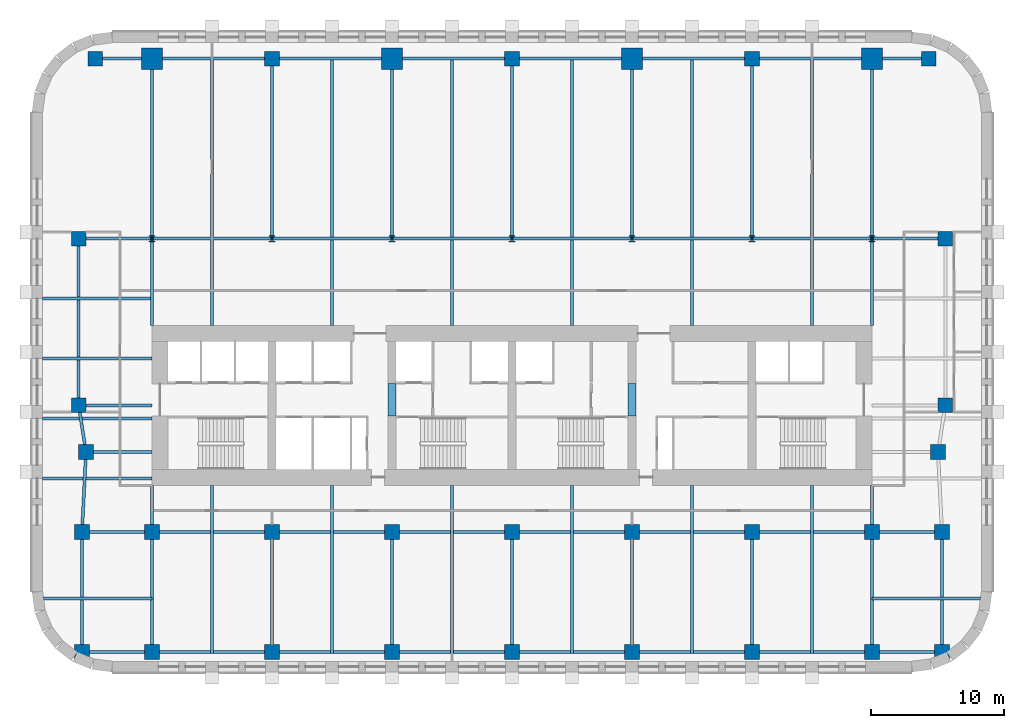
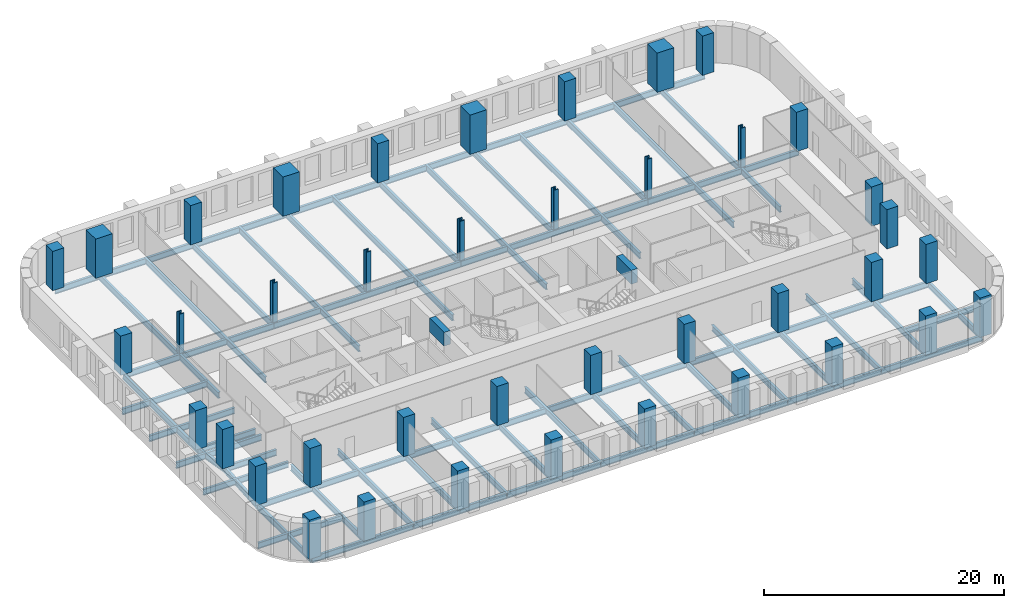
# One storey, part 1 of 11: 59 beams, 40 columns.
"""IFC4 building model written with IfcOpenShell, lengths in metres."""

from ifc_helpers import new_model, si_unit, direction, frame, origin, origin_2d, place, context, subcontext, project, spatial, rectangle, i_section, extrude, material, material_profile, profile_set, type_object, element, save


model = new_model("IFC4")

# Units and contexts
model_context = context("Model", 3, precision=1e-05, world=origin(), true_north=direction((0.0, 1.0)))
body_context = subcontext(model_context, "Body", "Model", "MODEL_VIEW")
ifc_project = project(units=[si_unit("LENGTHUNIT", "METRE"), si_unit("AREAUNIT", "SQUARE_METRE"), si_unit("VOLUMEUNIT", "CUBIC_METRE"), si_unit("PLANEANGLEUNIT", "RADIAN"), si_unit("MASSUNIT", "GRAM", prefix="KILO")], contexts=[model_context])

# Site, building, storey
site_placement = place(None, origin())
site = spatial("IfcSite", under=ifc_project, at=site_placement, CompositionType="ELEMENT")
building_placement = place(site_placement, origin())
building = spatial("IfcBuilding", under=site, at=building_placement, Name="Zellij Exchange Tower", CompositionType="ELEMENT")
storey_placement = place(building_placement, frame((0.0, 0.0, 56.5)))
storey = spatial("IfcBuildingStorey", under=building, at=storey_placement, Name="L10", CompositionType="ELEMENT", Elevation=56.5)

# Columns
ifc_material_1 = material(Name="Concrete C70/85", Category="concrete")
ifc_material_profile_1 = material_profile(ifc_material_1, rectangle(XDim=1.10009765625, YDim=1.10009765625, at=origin_2d()), Name="STR-COLUMN RC1100x1100 C70/85")
ifc_profile_set_1 = profile_set([ifc_material_profile_1], Name="Concrete C70/85")
column_type_1 = type_object("IfcColumnType", Name="STR-COLUMN RC1100x1100 C70/85", PredefinedType="COLUMN", material=ifc_profile_set_1)
for number, where, z_axis, x_axis, name in (
    (1, (-32.25, -26.5, 0.0), (0.0, 0.0, 1.0), (1.0, 0.0, 0.0), "C11"),
    (2, (-27.0, -26.5, 0.0), (0.0, 0.0, 1.0), (1.0, 0.0, 0.0), "C11"),
    (3, (-18.0, -26.5, 0.0), (0.0, 0.0, 1.0), (1.0, 0.0, 0.0), "C11"),
    (4, (-9.0, -26.5, 0.0), (0.0, 0.0, 1.0), (1.0, 0.0, 0.0), "C11"),
    (5, (0.0, -26.5, 0.0), (0.0, 0.0, 1.0), (1.0, 0.0, 0.0), "C11"),
    (6, (9.0, -26.5, 0.0), (0.0, 0.0, 1.0), (1.0, 0.0, 0.0), "C11"),
    (7, (18.0, -26.5, 0.0), (0.0, 0.0, 1.0), (1.0, 0.0, 0.0), "C11"),
    (8, (27.0, -26.5, 0.0), (0.0, 0.0, 1.0), (1.0, 0.0, 0.0), "C11"),
    (9, (32.25, -26.5, 0.0), (0.0, 0.0, 1.0), (1.0, 0.0, 0.0), "C11"),
    (10, (-32.25, -17.5, 0.0), (0.0, 0.0, 1.0), (1.0, 0.0, 0.0), "C11"),
    (11, (-27.0, -17.5, 0.0), (0.0, 0.0, 1.0), (1.0, 0.0, 0.0), "C11"),
    (12, (-18.0, -17.5, 0.0), (0.0, 0.0, 1.0), (1.0, 0.0, 0.0), "C11"),
    (13, (-9.0, -17.5, 0.0), (0.0, 0.0, 1.0), (1.0, 0.0, 0.0), "C11"),
    (14, (0.0, -17.5, 0.0), (0.0, 0.0, 1.0), (1.0, 0.0, 0.0), "C11"),
    (15, (9.0, -17.5, 0.0), (0.0, 0.0, 1.0), (1.0, 0.0, 0.0), "C11"),
    (16, (18.0, -17.5, 0.0), (0.0, 0.0, 1.0), (1.0, 0.0, 0.0), "C11"),
    (17, (27.0, -17.5, 0.0), (0.0, 0.0, 1.0), (1.0, 0.0, 0.0), "C11"),
    (18, (32.25, -17.5, 0.0), (0.0, 0.0, 1.0), (1.0, 0.0, 0.0), "C11"),
    (19, (-31.949951171875, -11.5, 0.0), (0.0, 0.0, 1.0), (1.0, 0.0, 0.0), "C11"),
    (20, (31.949951171875, -11.5, 0.0), (0.0, 0.0, 1.0), (1.0, 0.0, 0.0), "C11"),
    (21, (-32.5, -8.0, 0.0), (0.0, 0.0, 1.0), (1.0, 0.0, 0.0), "C11"),
    (22, (32.5, -8.0, 0.0), (0.0, 0.0, 1.0), (1.0, 0.0, 0.0), "C11"),
    (23, (-32.5, 4.5, 0.0), (0.0, 0.0, 1.0), (1.0, 0.0, 0.0), "C11"),
    (24, (32.5, 4.5, 0.0), (0.0, 0.0, 1.0), (1.0, 0.0, 0.0), "C11"),
    (25, (-31.25, 18.0, 0.0), (0.0, 0.0, 1.0), (1.0, 0.0, 0.0), "C11"),
    (26, (-18.0, 18.0, 0.0), (0.0, 0.0, 1.0), (1.0, 0.0, 0.0), "C11"),
    (27, (0.0, 18.0, 0.0), (0.0, 0.0, 1.0), (1.0, 0.0, 0.0), "C11"),
    (28, (18.0, 18.0, 0.0), (0.0, 0.0, 1.0), (1.0, 0.0, 0.0), "C11"),
    (29, (31.25, 18.0, 0.0), (0.0, 0.0, 1.0), (1.0, 0.0, 0.0), "C11"),
):
    element("IfcColumn", number, at=place(storey_placement, frame(where, z_axis=z_axis, x_axis=x_axis)), inside=storey, type_object=column_type_1, Name=name, PredefinedType="COLUMN", context=body_context, shape_type="SweptSolid", body=[
        extrude(rectangle(XDim=1.10009765625, YDim=1.10009765625, at=origin_2d()), origin(), (0.0, 0.0, 1.0), 4.0),
    ])
ifc_material_2 = material(Name="Structural steel ASTM A913 Gr 65", Category="steel")
ifc_material_profile_2 = material_profile(ifc_material_2, i_section(OverallWidth=0.431884765625, OverallDepth=0.497802734375, WebThickness=0.0556640625, FlangeThickness=0.0888671875, at=origin_2d()), Name="W14x500")
ifc_profile_set_2 = profile_set([ifc_material_profile_2], Name="Structural steel ASTM A913 Gr 65")
column_type_2 = type_object("IfcColumnType", Name="STR-COLUMN W14x500", PredefinedType="COLUMN", material=ifc_profile_set_2)
for number, where, z_axis, x_axis, name in (
    (30, (-27.0, 4.5, 0.0), (0.0, 0.0, 1.0), (1.0, 0.0, 0.0), "C5"),
    (31, (-18.0, 4.5, 0.0), (0.0, 0.0, 1.0), (1.0, 0.0, 0.0), "C5"),
    (32, (-9.0, 4.5, 0.0), (0.0, 0.0, 1.0), (1.0, 0.0, 0.0), "C5"),
    (33, (0.0, 4.5, 0.0), (0.0, 0.0, 1.0), (1.0, 0.0, 0.0), "C5"),
    (34, (9.0, 4.5, 0.0), (0.0, 0.0, 1.0), (1.0, 0.0, 0.0), "C5"),
    (35, (18.0, 4.5, 0.0), (0.0, 0.0, 1.0), (1.0, 0.0, 0.0), "C5"),
    (36, (27.0, 4.5, 0.0), (0.0, 0.0, 1.0), (1.0, 0.0, 0.0), "C5"),
):
    element("IfcColumn", number, at=place(storey_placement, frame(where, z_axis=z_axis, x_axis=x_axis)), inside=storey, type_object=column_type_2, Name=name, PredefinedType="COLUMN", context=body_context, shape_type="SweptSolid", body=[
        extrude(i_section(OverallWidth=0.431884765625, OverallDepth=0.497802734375, WebThickness=0.0556640625, FlangeThickness=0.0888671875, at=origin_2d()), origin(), (0.0, 0.0, 1.0), 4.0),
    ])
ifc_material_profile_3 = material_profile(ifc_material_1, rectangle(XDim=1.60009765625, YDim=1.60009765625, at=origin_2d()), Name="STR-MEGA COLUMN RC1600x1600 C70/85")
ifc_profile_set_3 = profile_set([ifc_material_profile_3], Name="Concrete C70/85")
column_type_3 = type_object("IfcColumnType", Name="STR-MEGA COLUMN RC1600x1600 C70/85", PredefinedType="COLUMN", material=ifc_profile_set_3)
for number, where, z_axis, x_axis, name in (
    (37, (-27.0, 18.0, 0.0), (0.0, 0.0, 1.0), (1.0, 0.0, 0.0), "MC6"),
    (38, (-9.0, 18.0, 0.0), (0.0, 0.0, 1.0), (1.0, 0.0, 0.0), "MC6"),
    (39, (9.0, 18.0, 0.0), (0.0, 0.0, 1.0), (1.0, 0.0, 0.0), "MC6"),
    (40, (27.0, 18.0, 0.0), (0.0, 0.0, 1.0), (1.0, 0.0, 0.0), "MC6"),
):
    element("IfcColumn", number, at=place(storey_placement, frame(where, z_axis=z_axis, x_axis=x_axis)), inside=storey, type_object=column_type_3, Name=name, PredefinedType="COLUMN", context=body_context, shape_type="SweptSolid", body=[
        extrude(rectangle(XDim=1.60009765625, YDim=1.60009765625, at=origin_2d()), origin(), (0.0, 0.0, 1.0), 4.0),
    ])

# Beams
ifc_material_profile_4 = material_profile(ifc_material_1, rectangle(XDim=0.60009765625, YDim=1.39990234375, at=origin_2d()), Name="CORE-CB 600x1400 C70/85")
ifc_profile_set_4 = profile_set([ifc_material_profile_4], Name="Concrete C70/85")
beam_type_1 = type_object("IfcBeamType", Name="CORE-CB 600x1400 C70/85", PredefinedType="BEAM", material=ifc_profile_set_4)
for number, where, z_axis, x_axis, name in (
    (41, (-9.0, -8.800048828125, 3.10009765625), (0.0, 1.0, 0.0), (-1.0, 0.0, 0.0), "Core coupling beam x -9 L10"),
    (42, (9.0, -8.800048828125, 3.10009765625), (0.0, 1.0, 0.0), (-1.0, 0.0, 0.0), "Core coupling beam x 9 L10"),
):
    element("IfcBeam", number, at=place(storey_placement, frame(where, z_axis=z_axis, x_axis=x_axis)), inside=storey, type_object=beam_type_1, Name=name, PredefinedType="BEAM", context=body_context, shape_type="SweptSolid", body=[
        extrude(rectangle(XDim=0.60009765625, YDim=1.39990234375, at=origin_2d()), origin(), (0.0, 0.0, 1.0), 2.425048828125),
    ])
ifc_material_3 = material(Name="Structural steel ASTM A992 Gr 50", Category="steel")
ifc_material_profile_5 = material_profile(ifc_material_3, i_section(OverallWidth=0.227783203125, OverallDepth=0.60205078125, WebThickness=0.010498046875, FlangeThickness=0.014892578125, at=origin_2d()), Name="W24x68")
ifc_profile_set_5 = profile_set([ifc_material_profile_5], Name="Structural steel ASTM A992 Gr 50")
beam_type_2 = type_object("IfcBeamType", Name="STR-BEAM W24x68", PredefinedType="BEAM", material=ifc_profile_set_5)
beam_1_placement = place(storey_placement, frame((-22.5, -26.614501953125, -0.5009765625), z_axis=(0.0, 1.0, 0.0), x_axis=(-1.0, 0.0, 0.0)))
element("IfcBeam", 43, at=beam_1_placement, inside=storey, type_object=beam_type_2, Name="B5", PredefinedType="BEAM", context=body_context, shape_type="SweptSolid", body=[
    extrude(i_section(OverallWidth=0.227783203125, OverallDepth=0.60205078125, WebThickness=0.010498046875, FlangeThickness=0.014892578125, at=origin_2d()), origin(), (0.0, 0.0, 1.0), 12.614501953125),
])
beam_2_placement = place(storey_placement, frame((-22.5, -2.0, -0.5009765625), z_axis=(0.0, 1.0, 0.0), x_axis=(-1.0, 0.0, 0.0)))
element("IfcBeam", 44, at=beam_2_placement, inside=storey, type_object=beam_type_2, Name="B5", PredefinedType="BEAM", context=body_context, shape_type="SweptSolid", body=[
    extrude(i_section(OverallWidth=0.227783203125, OverallDepth=0.60205078125, WebThickness=0.010498046875, FlangeThickness=0.014892578125, at=origin_2d()), origin(), (0.0, 0.0, 1.0), 20.114501953125),
])
beam_3_placement = place(storey_placement, frame((-13.5, -26.614501953125, -0.5009765625), z_axis=(0.0, 1.0, 0.0), x_axis=(-1.0, 0.0, 0.0)))
element("IfcBeam", 45, at=beam_3_placement, inside=storey, type_object=beam_type_2, Name="B5", PredefinedType="BEAM", context=body_context, shape_type="SweptSolid", body=[
    extrude(i_section(OverallWidth=0.227783203125, OverallDepth=0.60205078125, WebThickness=0.010498046875, FlangeThickness=0.014892578125, at=origin_2d()), origin(), (0.0, 0.0, 1.0), 12.614501953125),
])
beam_4_placement = place(storey_placement, frame((-13.5, -2.0, -0.5009765625), z_axis=(0.0, 1.0, 0.0), x_axis=(-1.0, 0.0, 0.0)))
element("IfcBeam", 46, at=beam_4_placement, inside=storey, type_object=beam_type_2, Name="B5", PredefinedType="BEAM", context=body_context, shape_type="SweptSolid", body=[
    extrude(i_section(OverallWidth=0.227783203125, OverallDepth=0.60205078125, WebThickness=0.010498046875, FlangeThickness=0.014892578125, at=origin_2d()), origin(), (0.0, 0.0, 1.0), 20.114501953125),
])
beam_5_placement = place(storey_placement, frame((-4.5, -26.614501953125, -0.5009765625), z_axis=(0.0, 1.0, 0.0), x_axis=(-1.0, 0.0, 0.0)))
element("IfcBeam", 47, at=beam_5_placement, inside=storey, type_object=beam_type_2, Name="B5", PredefinedType="BEAM", context=body_context, shape_type="SweptSolid", body=[
    extrude(i_section(OverallWidth=0.227783203125, OverallDepth=0.60205078125, WebThickness=0.010498046875, FlangeThickness=0.014892578125, at=origin_2d()), origin(), (0.0, 0.0, 1.0), 12.614501953125),
])
beam_6_placement = place(storey_placement, frame((-4.5, -2.0, -0.5009765625), z_axis=(0.0, 1.0, 0.0), x_axis=(-1.0, 0.0, 0.0)))
element("IfcBeam", 48, at=beam_6_placement, inside=storey, type_object=beam_type_2, Name="B5", PredefinedType="BEAM", context=body_context, shape_type="SweptSolid", body=[
    extrude(i_section(OverallWidth=0.227783203125, OverallDepth=0.60205078125, WebThickness=0.010498046875, FlangeThickness=0.014892578125, at=origin_2d()), origin(), (0.0, 0.0, 1.0), 20.114501953125),
])
beam_7_placement = place(storey_placement, frame((4.5, -26.614501953125, -0.5009765625), z_axis=(0.0, 1.0, 0.0), x_axis=(-1.0, 0.0, 0.0)))
element("IfcBeam", 49, at=beam_7_placement, inside=storey, type_object=beam_type_2, Name="B5", PredefinedType="BEAM", context=body_context, shape_type="SweptSolid", body=[
    extrude(i_section(OverallWidth=0.227783203125, OverallDepth=0.60205078125, WebThickness=0.010498046875, FlangeThickness=0.014892578125, at=origin_2d()), origin(), (0.0, 0.0, 1.0), 12.614501953125),
])
beam_8_placement = place(storey_placement, frame((4.5, -2.0, -0.5009765625), z_axis=(0.0, 1.0, 0.0), x_axis=(-1.0, 0.0, 0.0)))
element("IfcBeam", 50, at=beam_8_placement, inside=storey, type_object=beam_type_2, Name="B5", PredefinedType="BEAM", context=body_context, shape_type="SweptSolid", body=[
    extrude(i_section(OverallWidth=0.227783203125, OverallDepth=0.60205078125, WebThickness=0.010498046875, FlangeThickness=0.014892578125, at=origin_2d()), origin(), (0.0, 0.0, 1.0), 20.114501953125),
])
beam_9_placement = place(storey_placement, frame((13.5, -26.614501953125, -0.5009765625), z_axis=(0.0, 1.0, 0.0), x_axis=(-1.0, 0.0, 0.0)))
element("IfcBeam", 51, at=beam_9_placement, inside=storey, type_object=beam_type_2, Name="B5", PredefinedType="BEAM", context=body_context, shape_type="SweptSolid", body=[
    extrude(i_section(OverallWidth=0.227783203125, OverallDepth=0.60205078125, WebThickness=0.010498046875, FlangeThickness=0.014892578125, at=origin_2d()), origin(), (0.0, 0.0, 1.0), 12.614501953125),
])
beam_10_placement = place(storey_placement, frame((13.5, -2.0, -0.5009765625), z_axis=(0.0, 1.0, 0.0), x_axis=(-1.0, 0.0, 0.0)))
element("IfcBeam", 52, at=beam_10_placement, inside=storey, type_object=beam_type_2, Name="B5", PredefinedType="BEAM", context=body_context, shape_type="SweptSolid", body=[
    extrude(i_section(OverallWidth=0.227783203125, OverallDepth=0.60205078125, WebThickness=0.010498046875, FlangeThickness=0.014892578125, at=origin_2d()), origin(), (0.0, 0.0, 1.0), 20.114501953125),
])
beam_11_placement = place(storey_placement, frame((22.5, -26.614501953125, -0.5009765625), z_axis=(0.0, 1.0, 0.0), x_axis=(-1.0, 0.0, 0.0)))
element("IfcBeam", 53, at=beam_11_placement, inside=storey, type_object=beam_type_2, Name="B5", PredefinedType="BEAM", context=body_context, shape_type="SweptSolid", body=[
    extrude(i_section(OverallWidth=0.227783203125, OverallDepth=0.60205078125, WebThickness=0.010498046875, FlangeThickness=0.014892578125, at=origin_2d()), origin(), (0.0, 0.0, 1.0), 12.614501953125),
])
beam_12_placement = place(storey_placement, frame((22.5, -2.0, -0.5009765625), z_axis=(0.0, 1.0, 0.0), x_axis=(-1.0, 0.0, 0.0)))
element("IfcBeam", 54, at=beam_12_placement, inside=storey, type_object=beam_type_2, Name="B5", PredefinedType="BEAM", context=body_context, shape_type="SweptSolid", body=[
    extrude(i_section(OverallWidth=0.227783203125, OverallDepth=0.60205078125, WebThickness=0.010498046875, FlangeThickness=0.014892578125, at=origin_2d()), origin(), (0.0, 0.0, 1.0), 20.114501953125),
])
beam_13_placement = place(storey_placement, frame((-35.126953125, -22.5, -0.5009765625), z_axis=(1.0, 0.0, 0.0), x_axis=(0.0, 1.0, 0.0)))
element("IfcBeam", 55, at=beam_13_placement, inside=storey, type_object=beam_type_2, Name="B5", PredefinedType="BEAM", context=body_context, shape_type="SweptSolid", body=[
    extrude(i_section(OverallWidth=0.227783203125, OverallDepth=0.60205078125, WebThickness=0.010498046875, FlangeThickness=0.014892578125, at=origin_2d()), origin(), (0.0, 0.0, 1.0), 8.126953125),
])
for number, where, z_axis, x_axis, name in (
    (56, (-35.199951171875, -13.5, -0.5009765625), (1.0, 0.0, 0.0), (0.0, 1.0, 0.0), "B5"),
    (57, (-35.199951171875, -9.0, -0.5009765625), (1.0, 0.0, 0.0), (0.0, 1.0, 0.0), "B5"),
    (58, (-35.199951171875, -4.5, -0.5009765625), (1.0, 0.0, 0.0), (0.0, 1.0, 0.0), "B5"),
    (59, (-35.199951171875, 0.0, -0.5009765625), (1.0, 0.0, 0.0), (0.0, 1.0, 0.0), "B5"),
):
    element("IfcBeam", number, at=place(storey_placement, frame(where, z_axis=z_axis, x_axis=x_axis)), inside=storey, type_object=beam_type_2, Name=name, PredefinedType="BEAM", context=body_context, shape_type="SweptSolid", body=[
        extrude(i_section(OverallWidth=0.227783203125, OverallDepth=0.60205078125, WebThickness=0.010498046875, FlangeThickness=0.014892578125, at=origin_2d()), origin(), (0.0, 0.0, 1.0), 8.199951171875),
    ])
beam_14_placement = place(storey_placement, frame((27.0, -22.5, -0.5009765625), z_axis=(1.0, 0.0, 0.0), x_axis=(0.0, 1.0, 0.0)))
element("IfcBeam", 60, at=beam_14_placement, inside=storey, type_object=beam_type_2, Name="B5", PredefinedType="BEAM", context=body_context, shape_type="SweptSolid", body=[
    extrude(i_section(OverallWidth=0.227783203125, OverallDepth=0.60205078125, WebThickness=0.010498046875, FlangeThickness=0.014892578125, at=origin_2d()), origin(), (0.0, 0.0, 1.0), 8.126953125),
])
ifc_material_profile_6 = material_profile(ifc_material_3, i_section(OverallWidth=0.22900390625, OverallDepth=0.612060546875, WebThickness=0.011962890625, FlangeThickness=0.01953125, at=origin_2d()), Name="W24x84")
ifc_profile_set_6 = profile_set([ifc_material_profile_6], Name="Structural steel ASTM A992 Gr 50")
beam_type_3 = type_object("IfcBeamType", Name="STR-EDGE GIRDER W24x84", PredefinedType="BEAM", material=ifc_profile_set_6)
beam_15_placement = place(storey_placement, frame((-32.25, -26.5, -0.506103515625), z_axis=(0.0, 1.0, 0.0), x_axis=(-1.0, 0.0, 0.0)))
element("IfcBeam", 61, at=beam_15_placement, inside=storey, type_object=beam_type_3, Name="EB6", PredefinedType="BEAM", context=body_context, shape_type="SweptSolid", body=[
    extrude(i_section(OverallWidth=0.22900390625, OverallDepth=0.612060546875, WebThickness=0.011962890625, FlangeThickness=0.01953125, at=origin_2d()), origin(), (0.0, 0.0, 1.0), 9.0),
])
beam_16_placement = place(storey_placement, frame((-32.25, -17.5, -0.506103515625), z_axis=(0.049945724537, 0.998751933465, 0.0), x_axis=(-0.998751933465, 0.049945724537, 0.0)))
element("IfcBeam", 62, at=beam_16_placement, inside=storey, type_object=beam_type_3, Name="EB6", PredefinedType="BEAM", context=body_context, shape_type="SweptSolid", body=[
    extrude(i_section(OverallWidth=0.22900390625, OverallDepth=0.612060546875, WebThickness=0.011962890625, FlangeThickness=0.01953125, at=origin_2d()), origin(), (0.0, 0.0, 1.0), 6.007568359375),
])
beam_17_placement = place(storey_placement, frame((-31.949951171875, -11.5, -0.506103515625), z_axis=(-0.155251283593, 0.987875011802, 0.0), x_axis=(-0.987875011802, -0.155251283593, 0.0)))
element("IfcBeam", 63, at=beam_17_placement, inside=storey, type_object=beam_type_3, Name="EB6", PredefinedType="BEAM", context=body_context, shape_type="SweptSolid", body=[
    extrude(i_section(OverallWidth=0.22900390625, OverallDepth=0.612060546875, WebThickness=0.011962890625, FlangeThickness=0.01953125, at=origin_2d()), origin(), (0.0, 0.0, 1.0), 3.54296875),
])
beam_18_placement = place(storey_placement, frame((-32.5, -8.0, -0.506103515625), z_axis=(0.0, 1.0, 0.0), x_axis=(-1.0, 0.0, 0.0)))
element("IfcBeam", 64, at=beam_18_placement, inside=storey, type_object=beam_type_3, Name="EB6", PredefinedType="BEAM", context=body_context, shape_type="SweptSolid", body=[
    extrude(i_section(OverallWidth=0.22900390625, OverallDepth=0.612060546875, WebThickness=0.011962890625, FlangeThickness=0.01953125, at=origin_2d()), origin(), (0.0, 0.0, 1.0), 12.5),
])
beam_19_placement = place(storey_placement, frame((32.25, -26.5, -0.506103515625), z_axis=(0.0, 1.0, 0.0), x_axis=(-1.0, 0.0, 0.0)))
element("IfcBeam", 65, at=beam_19_placement, inside=storey, type_object=beam_type_3, Name="EB6", PredefinedType="BEAM", context=body_context, shape_type="SweptSolid", body=[
    extrude(i_section(OverallWidth=0.22900390625, OverallDepth=0.612060546875, WebThickness=0.011962890625, FlangeThickness=0.01953125, at=origin_2d()), origin(), (0.0, 0.0, 1.0), 9.0),
])
ifc_material_profile_7 = material_profile(ifc_material_3, i_section(OverallWidth=0.22900390625, OverallDepth=0.612060546875, WebThickness=0.011962890625, FlangeThickness=0.01953125, at=origin_2d()), Name="W24x84")
ifc_profile_set_7 = profile_set([ifc_material_profile_7], Name="Structural steel ASTM A992 Gr 50")
beam_type_4 = type_object("IfcBeamType", Name="STR-GIRDER W24x84", PredefinedType="BEAM", material=ifc_profile_set_7)
beam_20_placement = place(storey_placement, frame((-32.25, -26.5, -0.506103515625), z_axis=(1.0, 0.0, 0.0), x_axis=(0.0, 1.0, 0.0)))
element("IfcBeam", 66, at=beam_20_placement, inside=storey, type_object=beam_type_4, Name="G4", PredefinedType="BEAM", context=body_context, shape_type="SweptSolid", body=[
    extrude(i_section(OverallWidth=0.22900390625, OverallDepth=0.612060546875, WebThickness=0.011962890625, FlangeThickness=0.01953125, at=origin_2d()), origin(), (0.0, 0.0, 1.0), 14.25),
])
for number, where, z_axis, x_axis, name in (
    (67, (-18.0, -26.5, -0.506103515625), (1.0, 0.0, 0.0), (0.0, 1.0, 0.0), "G4"),
    (68, (0.0, -26.5, -0.506103515625), (1.0, 0.0, 0.0), (0.0, 1.0, 0.0), "G4"),
):
    element("IfcBeam", number, at=place(storey_placement, frame(where, z_axis=z_axis, x_axis=x_axis)), inside=storey, type_object=beam_type_4, Name=name, PredefinedType="BEAM", context=body_context, shape_type="SweptSolid", body=[
        extrude(i_section(OverallWidth=0.22900390625, OverallDepth=0.612060546875, WebThickness=0.011962890625, FlangeThickness=0.01953125, at=origin_2d()), origin(), (0.0, 0.0, 1.0), 18.0),
    ])
for number, where, z_axis, x_axis, name in (
    (69, (18.0, -26.5, -0.506103515625), (1.0, 0.0, 0.0), (0.0, 1.0, 0.0), "G4"),
    (70, (-32.25, -17.5, -0.506103515625), (1.0, 0.0, 0.0), (0.0, 1.0, 0.0), "G4"),
):
    element("IfcBeam", number, at=place(storey_placement, frame(where, z_axis=z_axis, x_axis=x_axis)), inside=storey, type_object=beam_type_4, Name=name, PredefinedType="BEAM", context=body_context, shape_type="SweptSolid", body=[
        extrude(i_section(OverallWidth=0.22900390625, OverallDepth=0.612060546875, WebThickness=0.011962890625, FlangeThickness=0.01953125, at=origin_2d()), origin(), (0.0, 0.0, 1.0), 14.25),
    ])
for number, where, z_axis, x_axis, name in (
    (71, (-18.0, -17.5, -0.506103515625), (1.0, 0.0, 0.0), (0.0, 1.0, 0.0), "G4"),
    (72, (0.0, -17.5, -0.506103515625), (1.0, 0.0, 0.0), (0.0, 1.0, 0.0), "G4"),
):
    element("IfcBeam", number, at=place(storey_placement, frame(where, z_axis=z_axis, x_axis=x_axis)), inside=storey, type_object=beam_type_4, Name=name, PredefinedType="BEAM", context=body_context, shape_type="SweptSolid", body=[
        extrude(i_section(OverallWidth=0.22900390625, OverallDepth=0.612060546875, WebThickness=0.011962890625, FlangeThickness=0.01953125, at=origin_2d()), origin(), (0.0, 0.0, 1.0), 18.0),
    ])
beam_21_placement = place(storey_placement, frame((18.0, -17.5, -0.506103515625), z_axis=(1.0, 0.0, 0.0), x_axis=(0.0, 1.0, 0.0)))
element("IfcBeam", 73, at=beam_21_placement, inside=storey, type_object=beam_type_4, Name="G4", PredefinedType="BEAM", context=body_context, shape_type="SweptSolid", body=[
    extrude(i_section(OverallWidth=0.22900390625, OverallDepth=0.612060546875, WebThickness=0.011962890625, FlangeThickness=0.01953125, at=origin_2d()), origin(), (0.0, 0.0, 1.0), 14.25),
])
beam_22_placement = place(storey_placement, frame((-31.949951171875, -11.5, -0.506103515625), z_axis=(1.0, 0.0, 0.0), x_axis=(0.0, 1.0, 0.0)))
element("IfcBeam", 74, at=beam_22_placement, inside=storey, type_object=beam_type_4, Name="G4", PredefinedType="BEAM", context=body_context, shape_type="SweptSolid", body=[
    extrude(i_section(OverallWidth=0.22900390625, OverallDepth=0.612060546875, WebThickness=0.011962890625, FlangeThickness=0.01953125, at=origin_2d()), origin(), (0.0, 0.0, 1.0), 4.949951171875),
])
beam_23_placement = place(storey_placement, frame((-32.5, -8.0, -0.506103515625), z_axis=(1.0, 0.0, 0.0), x_axis=(0.0, 1.0, 0.0)))
element("IfcBeam", 75, at=beam_23_placement, inside=storey, type_object=beam_type_4, Name="G4", PredefinedType="BEAM", context=body_context, shape_type="SweptSolid", body=[
    extrude(i_section(OverallWidth=0.22900390625, OverallDepth=0.612060546875, WebThickness=0.011962890625, FlangeThickness=0.01953125, at=origin_2d()), origin(), (0.0, 0.0, 1.0), 5.5),
])
beam_24_placement = place(storey_placement, frame((-32.5, 4.5, -0.506103515625), z_axis=(1.0, 0.0, 0.0), x_axis=(0.0, 1.0, 0.0)))
element("IfcBeam", 76, at=beam_24_placement, inside=storey, type_object=beam_type_4, Name="G4", PredefinedType="BEAM", context=body_context, shape_type="SweptSolid", body=[
    extrude(i_section(OverallWidth=0.22900390625, OverallDepth=0.612060546875, WebThickness=0.011962890625, FlangeThickness=0.01953125, at=origin_2d()), origin(), (0.0, 0.0, 1.0), 14.5),
])
for number, where, z_axis, x_axis, name in (
    (77, (-18.0, 4.5, -0.506103515625), (1.0, 0.0, 0.0), (0.0, 1.0, 0.0), "G4"),
    (78, (0.0, 4.5, -0.506103515625), (1.0, 0.0, 0.0), (0.0, 1.0, 0.0), "G4"),
):
    element("IfcBeam", number, at=place(storey_placement, frame(where, z_axis=z_axis, x_axis=x_axis)), inside=storey, type_object=beam_type_4, Name=name, PredefinedType="BEAM", context=body_context, shape_type="SweptSolid", body=[
        extrude(i_section(OverallWidth=0.22900390625, OverallDepth=0.612060546875, WebThickness=0.011962890625, FlangeThickness=0.01953125, at=origin_2d()), origin(), (0.0, 0.0, 1.0), 18.0),
    ])
beam_25_placement = place(storey_placement, frame((18.0, 4.5, -0.506103515625), z_axis=(1.0, 0.0, 0.0), x_axis=(0.0, 1.0, 0.0)))
element("IfcBeam", 79, at=beam_25_placement, inside=storey, type_object=beam_type_4, Name="G4", PredefinedType="BEAM", context=body_context, shape_type="SweptSolid", body=[
    extrude(i_section(OverallWidth=0.22900390625, OverallDepth=0.612060546875, WebThickness=0.011962890625, FlangeThickness=0.01953125, at=origin_2d()), origin(), (0.0, 0.0, 1.0), 14.5),
])
beam_26_placement = place(storey_placement, frame((-31.25, 18.0, -0.506103515625), z_axis=(1.0, 0.0, 0.0), x_axis=(0.0, 1.0, 0.0)))
element("IfcBeam", 80, at=beam_26_placement, inside=storey, type_object=beam_type_4, Name="G4", PredefinedType="BEAM", context=body_context, shape_type="SweptSolid", body=[
    extrude(i_section(OverallWidth=0.22900390625, OverallDepth=0.612060546875, WebThickness=0.011962890625, FlangeThickness=0.01953125, at=origin_2d()), origin(), (0.0, 0.0, 1.0), 13.25),
])
for number, where, z_axis, x_axis, name in (
    (81, (-18.0, 18.0, -0.506103515625), (1.0, 0.0, 0.0), (0.0, 1.0, 0.0), "G4"),
    (82, (0.0, 18.0, -0.506103515625), (1.0, 0.0, 0.0), (0.0, 1.0, 0.0), "G4"),
):
    element("IfcBeam", number, at=place(storey_placement, frame(where, z_axis=z_axis, x_axis=x_axis)), inside=storey, type_object=beam_type_4, Name=name, PredefinedType="BEAM", context=body_context, shape_type="SweptSolid", body=[
        extrude(i_section(OverallWidth=0.22900390625, OverallDepth=0.612060546875, WebThickness=0.011962890625, FlangeThickness=0.01953125, at=origin_2d()), origin(), (0.0, 0.0, 1.0), 18.0),
    ])
beam_27_placement = place(storey_placement, frame((18.0, 18.0, -0.506103515625), z_axis=(1.0, 0.0, 0.0), x_axis=(0.0, 1.0, 0.0)))
element("IfcBeam", 83, at=beam_27_placement, inside=storey, type_object=beam_type_4, Name="G4", PredefinedType="BEAM", context=body_context, shape_type="SweptSolid", body=[
    extrude(i_section(OverallWidth=0.22900390625, OverallDepth=0.612060546875, WebThickness=0.011962890625, FlangeThickness=0.01953125, at=origin_2d()), origin(), (0.0, 0.0, 1.0), 13.25),
])
beam_28_placement = place(storey_placement, frame((-27.0, -26.5, -0.506103515625), z_axis=(0.0, 1.0, 0.0), x_axis=(-1.0, 0.0, 0.0)))
element("IfcBeam", 84, at=beam_28_placement, inside=storey, type_object=beam_type_4, Name="G4", PredefinedType="BEAM", context=body_context, shape_type="SweptSolid", body=[
    extrude(i_section(OverallWidth=0.22900390625, OverallDepth=0.612060546875, WebThickness=0.011962890625, FlangeThickness=0.01953125, at=origin_2d()), origin(), (0.0, 0.0, 1.0), 12.5),
])
beam_29_placement = place(storey_placement, frame((-27.0, -2.0, -0.506103515625), z_axis=(0.0, 1.0, 0.0), x_axis=(-1.0, 0.0, 0.0)))
element("IfcBeam", 85, at=beam_29_placement, inside=storey, type_object=beam_type_4, Name="G4", PredefinedType="BEAM", context=body_context, shape_type="SweptSolid", body=[
    extrude(i_section(OverallWidth=0.22900390625, OverallDepth=0.612060546875, WebThickness=0.011962890625, FlangeThickness=0.01953125, at=origin_2d()), origin(), (0.0, 0.0, 1.0), 6.5),
])
beam_30_placement = place(storey_placement, frame((-27.0, 4.5, -0.506103515625), z_axis=(0.0, 1.0, 0.0), x_axis=(-1.0, 0.0, 0.0)))
element("IfcBeam", 86, at=beam_30_placement, inside=storey, type_object=beam_type_4, Name="G4", PredefinedType="BEAM", context=body_context, shape_type="SweptSolid", body=[
    extrude(i_section(OverallWidth=0.22900390625, OverallDepth=0.612060546875, WebThickness=0.011962890625, FlangeThickness=0.01953125, at=origin_2d()), origin(), (0.0, 0.0, 1.0), 13.5),
])
beam_31_placement = place(storey_placement, frame((-18.0, -26.5, -0.506103515625), z_axis=(0.0, 1.0, 0.0), x_axis=(-1.0, 0.0, 0.0)))
element("IfcBeam", 87, at=beam_31_placement, inside=storey, type_object=beam_type_4, Name="G4", PredefinedType="BEAM", context=body_context, shape_type="SweptSolid", body=[
    extrude(i_section(OverallWidth=0.22900390625, OverallDepth=0.612060546875, WebThickness=0.011962890625, FlangeThickness=0.01953125, at=origin_2d()), origin(), (0.0, 0.0, 1.0), 9.0),
])
beam_32_placement = place(storey_placement, frame((-18.0, 4.5, -0.506103515625), z_axis=(0.0, 1.0, 0.0), x_axis=(-1.0, 0.0, 0.0)))
element("IfcBeam", 88, at=beam_32_placement, inside=storey, type_object=beam_type_4, Name="G4", PredefinedType="BEAM", context=body_context, shape_type="SweptSolid", body=[
    extrude(i_section(OverallWidth=0.22900390625, OverallDepth=0.612060546875, WebThickness=0.011962890625, FlangeThickness=0.01953125, at=origin_2d()), origin(), (0.0, 0.0, 1.0), 13.5),
])
beam_33_placement = place(storey_placement, frame((-9.0, -26.5, -0.506103515625), z_axis=(0.0, 1.0, 0.0), x_axis=(-1.0, 0.0, 0.0)))
element("IfcBeam", 89, at=beam_33_placement, inside=storey, type_object=beam_type_4, Name="G4", PredefinedType="BEAM", context=body_context, shape_type="SweptSolid", body=[
    extrude(i_section(OverallWidth=0.22900390625, OverallDepth=0.612060546875, WebThickness=0.011962890625, FlangeThickness=0.01953125, at=origin_2d()), origin(), (0.0, 0.0, 1.0), 9.0),
])
beam_34_placement = place(storey_placement, frame((-9.0, 4.5, -0.506103515625), z_axis=(0.0, 1.0, 0.0), x_axis=(-1.0, 0.0, 0.0)))
element("IfcBeam", 90, at=beam_34_placement, inside=storey, type_object=beam_type_4, Name="G4", PredefinedType="BEAM", context=body_context, shape_type="SweptSolid", body=[
    extrude(i_section(OverallWidth=0.22900390625, OverallDepth=0.612060546875, WebThickness=0.011962890625, FlangeThickness=0.01953125, at=origin_2d()), origin(), (0.0, 0.0, 1.0), 13.5),
])
beam_35_placement = place(storey_placement, frame((0.0, -26.5, -0.506103515625), z_axis=(0.0, 1.0, 0.0), x_axis=(-1.0, 0.0, 0.0)))
element("IfcBeam", 91, at=beam_35_placement, inside=storey, type_object=beam_type_4, Name="G4", PredefinedType="BEAM", context=body_context, shape_type="SweptSolid", body=[
    extrude(i_section(OverallWidth=0.22900390625, OverallDepth=0.612060546875, WebThickness=0.011962890625, FlangeThickness=0.01953125, at=origin_2d()), origin(), (0.0, 0.0, 1.0), 9.0),
])
beam_36_placement = place(storey_placement, frame((0.0, 4.5, -0.506103515625), z_axis=(0.0, 1.0, 0.0), x_axis=(-1.0, 0.0, 0.0)))
element("IfcBeam", 92, at=beam_36_placement, inside=storey, type_object=beam_type_4, Name="G4", PredefinedType="BEAM", context=body_context, shape_type="SweptSolid", body=[
    extrude(i_section(OverallWidth=0.22900390625, OverallDepth=0.612060546875, WebThickness=0.011962890625, FlangeThickness=0.01953125, at=origin_2d()), origin(), (0.0, 0.0, 1.0), 13.5),
])
beam_37_placement = place(storey_placement, frame((9.0, -26.5, -0.506103515625), z_axis=(0.0, 1.0, 0.0), x_axis=(-1.0, 0.0, 0.0)))
element("IfcBeam", 93, at=beam_37_placement, inside=storey, type_object=beam_type_4, Name="G4", PredefinedType="BEAM", context=body_context, shape_type="SweptSolid", body=[
    extrude(i_section(OverallWidth=0.22900390625, OverallDepth=0.612060546875, WebThickness=0.011962890625, FlangeThickness=0.01953125, at=origin_2d()), origin(), (0.0, 0.0, 1.0), 9.0),
])
beam_38_placement = place(storey_placement, frame((9.0, 4.5, -0.506103515625), z_axis=(0.0, 1.0, 0.0), x_axis=(-1.0, 0.0, 0.0)))
element("IfcBeam", 94, at=beam_38_placement, inside=storey, type_object=beam_type_4, Name="G4", PredefinedType="BEAM", context=body_context, shape_type="SweptSolid", body=[
    extrude(i_section(OverallWidth=0.22900390625, OverallDepth=0.612060546875, WebThickness=0.011962890625, FlangeThickness=0.01953125, at=origin_2d()), origin(), (0.0, 0.0, 1.0), 13.5),
])
beam_39_placement = place(storey_placement, frame((18.0, -26.5, -0.506103515625), z_axis=(0.0, 1.0, 0.0), x_axis=(-1.0, 0.0, 0.0)))
element("IfcBeam", 95, at=beam_39_placement, inside=storey, type_object=beam_type_4, Name="G4", PredefinedType="BEAM", context=body_context, shape_type="SweptSolid", body=[
    extrude(i_section(OverallWidth=0.22900390625, OverallDepth=0.612060546875, WebThickness=0.011962890625, FlangeThickness=0.01953125, at=origin_2d()), origin(), (0.0, 0.0, 1.0), 9.0),
])
beam_40_placement = place(storey_placement, frame((18.0, 4.5, -0.506103515625), z_axis=(0.0, 1.0, 0.0), x_axis=(-1.0, 0.0, 0.0)))
element("IfcBeam", 96, at=beam_40_placement, inside=storey, type_object=beam_type_4, Name="G4", PredefinedType="BEAM", context=body_context, shape_type="SweptSolid", body=[
    extrude(i_section(OverallWidth=0.22900390625, OverallDepth=0.612060546875, WebThickness=0.011962890625, FlangeThickness=0.01953125, at=origin_2d()), origin(), (0.0, 0.0, 1.0), 13.5),
])
beam_41_placement = place(storey_placement, frame((27.0, -26.5, -0.506103515625), z_axis=(0.0, 1.0, 0.0), x_axis=(-1.0, 0.0, 0.0)))
element("IfcBeam", 97, at=beam_41_placement, inside=storey, type_object=beam_type_4, Name="G4", PredefinedType="BEAM", context=body_context, shape_type="SweptSolid", body=[
    extrude(i_section(OverallWidth=0.22900390625, OverallDepth=0.612060546875, WebThickness=0.011962890625, FlangeThickness=0.01953125, at=origin_2d()), origin(), (0.0, 0.0, 1.0), 12.5),
])
beam_42_placement = place(storey_placement, frame((27.0, -2.0, -0.506103515625), z_axis=(0.0, 1.0, 0.0), x_axis=(-1.0, 0.0, 0.0)))
element("IfcBeam", 98, at=beam_42_placement, inside=storey, type_object=beam_type_4, Name="G4", PredefinedType="BEAM", context=body_context, shape_type="SweptSolid", body=[
    extrude(i_section(OverallWidth=0.22900390625, OverallDepth=0.612060546875, WebThickness=0.011962890625, FlangeThickness=0.01953125, at=origin_2d()), origin(), (0.0, 0.0, 1.0), 6.5),
])
beam_43_placement = place(storey_placement, frame((27.0, 4.5, -0.506103515625), z_axis=(0.0, 1.0, 0.0), x_axis=(-1.0, 0.0, 0.0)))
element("IfcBeam", 99, at=beam_43_placement, inside=storey, type_object=beam_type_4, Name="G4", PredefinedType="BEAM", context=body_context, shape_type="SweptSolid", body=[
    extrude(i_section(OverallWidth=0.22900390625, OverallDepth=0.612060546875, WebThickness=0.011962890625, FlangeThickness=0.01953125, at=origin_2d()), origin(), (0.0, 0.0, 1.0), 13.5),
])

save(model, "model.ifc")
